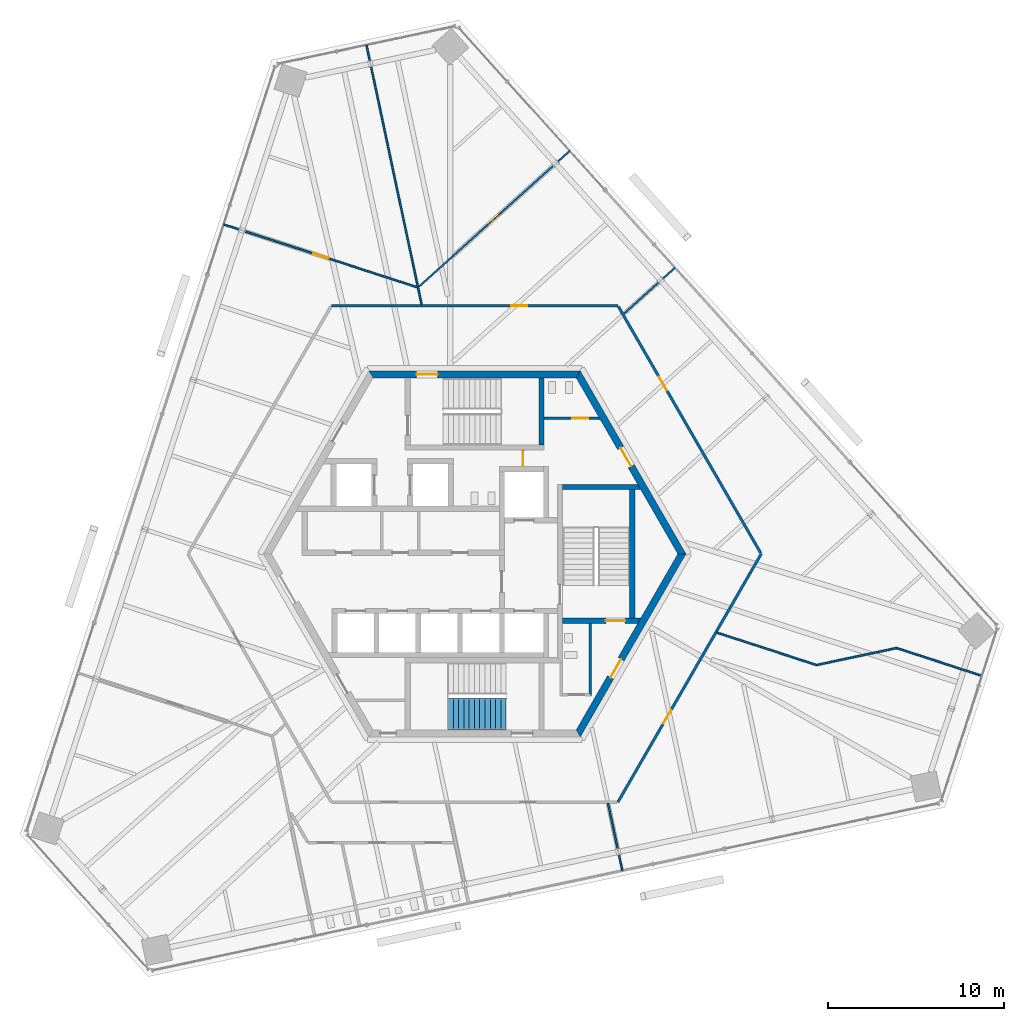
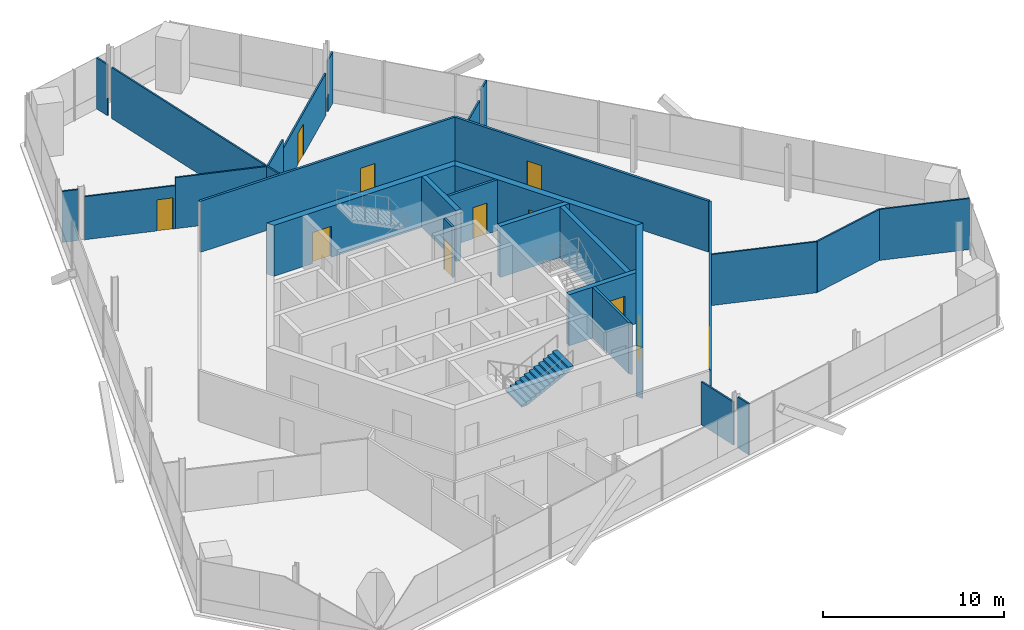
# One storey, part 12 of 15: 28 walls, 11 doors, 1 stair flight, 11 openings, 1 element without a shape of its own.
"""IFC4 building model written with IfcOpenShell, lengths in metres."""

from ifc_helpers import new_model, si_unit, direction, frame, frame_2d, origin, place, context, subcontext, project, spatial, polyline, rectangle, outline, extrude, source, transform, mapped, material, layer, layer_set, type_object, element, fill, aggregate, save


model = new_model("IFC4")

# Units and contexts
model_context = context("Model", 3, precision=1e-05, world=origin(), true_north=direction((0.0, 1.0)))
body_context = subcontext(model_context, "Body", "Model", "MODEL_VIEW")
ifc_project = project(units=[si_unit("LENGTHUNIT", "METRE"), si_unit("AREAUNIT", "SQUARE_METRE"), si_unit("VOLUMEUNIT", "CUBIC_METRE"), si_unit("PLANEANGLEUNIT", "RADIAN"), si_unit("MASSUNIT", "GRAM", prefix="KILO")], contexts=[model_context])

# Site, building, storey
site_placement = place(None, origin())
site = spatial("IfcSite", under=ifc_project, at=site_placement, CompositionType="ELEMENT")
building_placement = place(site_placement, origin())
building = spatial("IfcBuilding", under=site, at=building_placement, Name="Triune Harvest Tower", CompositionType="ELEMENT")
storey_placement = place(building_placement, frame((0.0, 0.0, 270.300048828125)))
storey = spatial("IfcBuildingStorey", under=building, at=storey_placement, Name="L71", CompositionType="ELEMENT", Elevation=270.300048828125)

# Wall, opening, door
ifc_material_1 = material(Name="Gypsum board on steel studs", Category="steel")
ifc_layer_1 = layer(ifc_material_1, 0.14990234375)
ifc_layer_set_1 = layer_set([ifc_layer_1], Name="Gypsum board on steel studs")
wall_type_1 = type_object("IfcWallType", Name="Fire Partition 150 mm", PredefinedType="PARTITIONING", material=ifc_layer_set_1)
wall_1_placement = place(storey_placement, frame((8.161376953125, 14.048583984375, 0.0), z_axis=(0.0, 0.0, 1.0), x_axis=(0.500027814178, -0.866009344666, 0.0)))
wall_1 = element("IfcWall", 1, at=wall_1_placement, inside=storey, type_object=wall_type_1, Name="Partition L71 013", PredefinedType="PARTITIONING", context=body_context, shape_type="SweptSolid", body=[
    extrude(rectangle(XDim=16.17138671875, YDim=0.14990234375, at=frame_2d((8.085693359375, 0.0))), origin(), (0.0, 0.0, 1.0), 3.43994140625),
])
opening_1_placement = place(wall_1_placement, frame((4.604248046875, 0.0, 0.0)))
opening_1 = element("IfcOpeningElement", 2, at=opening_1_placement, cuts=wall_1, Name="Opening L71-001", PredefinedType="OPENING", context=body_context, shape_type="SweptSolid", body=[
    extrude(rectangle(XDim=0.89990234375, YDim=2.10009765625, at=frame_2d((0.449951171875, 1.050048828125))), frame((0.0, 0.0849609375, 0.0), z_axis=(0.0, -1.0, 0.0), x_axis=(1.0, 0.0, 0.0)), (0.0, 0.0, 1.0), 0.169921875),
])
ifc_material_2 = material(Name="Timber and steel door set", Category="steel")
door_type_1 = type_object("IfcDoorType", Name="Single leaf door FD30 left hand 900 x 2100", OperationType="SINGLE_SWING_LEFT", PredefinedType="DOOR", material=ifc_material_2)
door_1_placement = place(opening_1_placement, origin())
door_1 = element("IfcDoor", 3, at=door_1_placement, inside=storey, type_object=door_type_1, Name="Door L71-001 Open Office 71.01", OperationType="SINGLE_SWING_LEFT", OverallHeight=2.10009765625, OverallWidth=0.89990234375, PredefinedType="DOOR", context=body_context, shape_type="SweptSolid", body=[
    extrude(rectangle(XDim=0.89990234375, YDim=2.10009765625, at=frame_2d((0.449951171875, 1.050048828125))), frame((0.0, 0.02490234375, 0.0), z_axis=(0.0, -1.0, 0.0), x_axis=(1.0, 0.0, 0.0)), (0.0, 0.0, 1.0), 0.050048828125),
])
fill(opening_1, door_1)

# Walls
ifc_material_3 = material(Name="Gypsum board on steel studs", Category="steel")
ifc_layer_2 = layer(ifc_material_3, 0.10009765625)
ifc_layer_set_2 = layer_set([ifc_layer_2], Name="Gypsum board on steel studs")
wall_type_2 = type_object("IfcWallType", Name="Partition 100 mm", PredefinedType="PARTITIONING", material=ifc_layer_set_2)
wall_2_placement = place(storey_placement, frame((-5.880126953125, 27.66357421875, 0.0), z_axis=(0.0, 0.0, 1.0), x_axis=(0.207913962391, -0.978147117893, 0.0)))
element("IfcWall", 4, at=wall_2_placement, inside=storey, type_object=wall_type_2, Name="Partition L71 008", PredefinedType="PARTITIONING", context=body_context, shape_type="SweptSolid", body=[
    extrude(rectangle(XDim=13.804443359375, YDim=0.10009765625, at=frame_2d((6.90234375, 0.0))), origin(), (0.0, 0.0, 1.0), 3.43994140625),
])
wall_3_placement = place(storey_placement, frame((13.768798828125, -4.47314453125, 0.0), z_axis=(0.0, 0.0, 1.0), x_axis=(0.951028932141, -0.309101876782, 0.0)))
element("IfcWall", 5, at=wall_3_placement, inside=storey, type_object=wall_type_2, Name="Partition L71 016", PredefinedType="PARTITIONING", context=body_context, shape_type="SweptSolid", body=[
    extrude(rectangle(XDim=5.93798828125, YDim=0.10009765625, at=frame_2d((2.968994140625, 0.0))), origin(), (0.0, 0.0, 1.0), 3.43994140625),
])
wall_4_placement = place(storey_placement, frame((23.95458984375, -5.343994140625, 0.0), z_axis=(0.0, 0.0, 1.0), x_axis=(0.951057267017, -0.309014683881, 0.0)))
element("IfcWall", 6, at=wall_4_placement, inside=storey, type_object=wall_type_2, Name="Partition L71 017", PredefinedType="PARTITIONING", context=body_context, shape_type="SweptSolid", body=[
    extrude(rectangle(XDim=5.103759765625, YDim=0.10009765625, at=frame_2d((2.5517578125, 0.0))), origin(), (0.0, 0.0, 1.0), 3.43994140625),
])
wall_5_placement = place(storey_placement, frame((-8.16064453125, 16.73291015625, 0.0), z_axis=(0.0, 0.0, 1.0), x_axis=(0.951045259503, -0.30905163707, 0.0)))
element("IfcWall", 7, at=wall_5_placement, inside=storey, type_object=wall_type_2, Name="Partition L71 019a", PredefinedType="PARTITIONING", context=body_context, shape_type="SweptSolid", body=[
    extrude(rectangle(XDim=5.130126953125, YDim=0.10009765625, at=frame_2d((2.56494140625, 0.0))), origin(), (0.0, 0.0, 1.0), 3.43994140625),
])
wall_6_placement = place(storey_placement, frame((19.42578125, -6.306640625, 0.0), z_axis=(0.0, 0.0, 1.0), x_axis=(0.97813910307, 0.207951665167, 0.0)))
element("IfcWall", 8, at=wall_6_placement, inside=storey, type_object=wall_type_2, Name="Partition L71 023", PredefinedType="PARTITIONING", context=body_context, shape_type="SweptSolid", body=[
    extrude(rectangle(XDim=4.619873046875, YDim=0.10009765625, at=frame_2d((2.31005859375, 0.0))), origin(), (0.0, 0.0, 1.0), 3.43994140625),
])
wall_7_placement = place(storey_placement, frame((-3.1630859375, 15.172607421875, 0.0), z_axis=(0.0, 0.0, 1.0), x_axis=(0.743149875306, 0.669124997914, 0.0)))
element("IfcWall", 9, at=wall_7_placement, inside=storey, type_object=wall_type_2, Name="Partition L71 027", PredefinedType="PARTITIONING", context=body_context, shape_type="SweptSolid", body=[
    extrude(rectangle(XDim=2.60888671875, YDim=0.10009765625, at=frame_2d((1.304443359375, 0.0))), origin(), (0.0, 0.0, 1.0), 3.43994140625),
])

# Wall, opening, door
ifc_material_4 = material(Name="Concrete 70 MPa", Category="concrete")
ifc_layer_3 = layer(ifc_material_4, 0.39990234375)
ifc_layer_set_3 = layer_set([ifc_layer_3], Name="Concrete 70 MPa")
wall_type_3 = type_object("IfcWallType", Name="Core wall 400", PredefinedType="SHEAR", material=ifc_layer_set_3)
shared_shape_1 = source(origin(), body_context, "Body", "SweptSolid", [
    extrude(outline(polyline([(-0.115478515625, -0.199951171875), (11.884521484375, -0.199951171875), (11.653564453125, 0.199951171875), (0.115478515625, 0.199951171875), (-0.115478515625, -0.199951171875)])), origin(), (0.0, 0.0, 1.0), 3.43994140625),
])
wall_8_placement = place(storey_placement, frame((11.76904296875, 0.0, 0.0), z_axis=(0.0, 0.0, 1.0), x_axis=(-0.499996592174, 0.866027371285, 0.0)))
wall_8 = element("IfcWall", 10, at=wall_8_placement, inside=storey, type_object=wall_type_3, Name="Hexagon 0 wall", PredefinedType="SHEAR", context=body_context, shape_type="MappedRepresentation", body=[
    mapped(shared_shape_1, transform((0.0, 0.0, 0.0), scale=1.0)),
])
opening_2_placement = place(wall_8_placement, frame((5.75048828125, 0.0, 0.0)))
opening_2 = element("IfcOpeningElement", 11, at=opening_2_placement, cuts=wall_8, Name="Opening CD-WCP", PredefinedType="OPENING", context=body_context, shape_type="SweptSolid", body=[
    extrude(rectangle(XDim=1.199951171875, YDim=2.10009765625, at=frame_2d((0.60009765625, 1.050048828125))), frame((0.0, 0.2099609375, 0.0), z_axis=(0.0, -1.0, 0.0), x_axis=(1.0, 0.0, 0.0)), (0.0, 0.0, 1.0), 0.419921875),
])
ifc_material_5 = material(Name="Steel S235", Category="steel")
door_type_2 = type_object("IfcDoorType", Name="Lobby door 1200 FD120", OperationType="SINGLE_SWING_LEFT", PredefinedType="DOOR", material=ifc_material_5)
door_2_placement = place(opening_2_placement, frame((1.199951171875, 0.0, 0.0), z_axis=(0.0, 0.0, 1.0), x_axis=(-1.0, 0.0, 0.0)))
door_2 = element("IfcDoor", 12, at=door_2_placement, inside=storey, type_object=door_type_2, Name="Door CD-WCP", OperationType="SINGLE_SWING_RIGHT", OverallHeight=2.10009765625, OverallWidth=1.199951171875, PredefinedType="DOOR", context=body_context, shape_type="SweptSolid", body=[
    extrude(rectangle(XDim=1.199951171875, YDim=2.10009765625, at=frame_2d((0.60009765625, 1.050048828125))), frame((0.0, 0.02490234375, 0.0), z_axis=(0.0, -1.0, 0.0), x_axis=(1.0, 0.0, 0.0)), (0.0, 0.0, 1.0), 0.050048828125),
])
fill(opening_2, door_2)

wall_9_placement = place(storey_placement, frame((5.884521484375, 10.1923828125, 0.0), z_axis=(0.0, 0.0, 1.0), x_axis=(-1.0, 0.0, 0.0)))
wall_9 = element("IfcWall", 13, at=wall_9_placement, inside=storey, type_object=wall_type_3, Name="Hexagon 1 wall", PredefinedType="SHEAR", context=body_context, shape_type="MappedRepresentation", body=[
    mapped(shared_shape_1, transform((0.0, 0.0, 0.0), scale=1.0)),
])
opening_3_placement = place(wall_9_placement, frame((7.984619140625, 0.0, 0.0)))
opening_3 = element("IfcOpeningElement", 14, at=opening_3_placement, cuts=wall_9, Name="Opening CD-S1P", PredefinedType="OPENING", context=body_context, shape_type="SweptSolid", body=[
    extrude(rectangle(XDim=1.199951171875, YDim=2.10009765625, at=frame_2d((0.60009765625, 1.050048828125))), frame((0.0, 0.2099609375, 0.0), z_axis=(0.0, -1.0, 0.0), x_axis=(1.0, 0.0, 0.0)), (0.0, 0.0, 1.0), 0.419921875),
])
ifc_material_6 = material(Name="Steel S235", Category="steel")
door_type_3 = type_object("IfcDoorType", Name="Stair door 1200 FD120", OperationType="SINGLE_SWING_LEFT", PredefinedType="DOOR", material=ifc_material_6)
door_3_placement = place(opening_3_placement, frame((1.199951171875, 0.0, 0.0), z_axis=(0.0, 0.0, 1.0), x_axis=(-1.0, 0.0, 0.0)))
door_3 = element("IfcDoor", 15, at=door_3_placement, inside=storey, type_object=door_type_3, Name="Door CD-S1P", OperationType="SINGLE_SWING_RIGHT", OverallHeight=2.10009765625, OverallWidth=1.199951171875, PredefinedType="DOOR", context=body_context, shape_type="SweptSolid", body=[
    extrude(rectangle(XDim=1.199951171875, YDim=2.10009765625, at=frame_2d((0.60009765625, 1.050048828125))), frame((0.0, 0.02490234375, 0.0), z_axis=(0.0, -1.0, 0.0), x_axis=(1.0, 0.0, 0.0)), (0.0, 0.0, 1.0), 0.050048828125),
])
fill(opening_3, door_3)

wall_10_placement = place(storey_placement, frame((5.884521484375, -10.1923828125, 0.0), z_axis=(0.0, 0.0, 1.0), x_axis=(0.499996592174, 0.866027371285, 0.0)))
wall_10 = element("IfcWall", 16, at=wall_10_placement, inside=storey, type_object=wall_type_3, Name="Hexagon 5 wall", PredefinedType="SHEAR", context=body_context, shape_type="MappedRepresentation", body=[
    mapped(shared_shape_1, transform((0.0, 0.0, 0.0), scale=1.0)),
])
opening_4_placement = place(wall_10_placement, frame((3.66455078125, 0.0, 0.0)))
opening_4 = element("IfcOpeningElement", 17, at=opening_4_placement, cuts=wall_10, Name="Opening CD-DP", PredefinedType="OPENING", context=body_context, shape_type="SweptSolid", body=[
    extrude(rectangle(XDim=1.199951171875, YDim=2.10009765625, at=frame_2d((0.60009765625, 1.050048828125))), frame((0.0, 0.2099609375, 0.0), z_axis=(0.0, -1.0, 0.0), x_axis=(1.0, 0.0, 0.0)), (0.0, 0.0, 1.0), 0.419921875),
])
door_4_placement = place(opening_4_placement, frame((1.199951171875, 0.0, 0.0), z_axis=(0.0, 0.0, 1.0), x_axis=(-1.0, 0.0, 0.0)))
door_4 = element("IfcDoor", 18, at=door_4_placement, inside=storey, type_object=door_type_3, Name="Door CD-DP", OperationType="SINGLE_SWING_RIGHT", OverallHeight=2.10009765625, OverallWidth=1.199951171875, PredefinedType="DOOR", context=body_context, shape_type="SweptSolid", body=[
    extrude(rectangle(XDim=1.199951171875, YDim=2.10009765625, at=frame_2d((0.60009765625, 1.050048828125))), frame((0.0, 0.02490234375, 0.0), z_axis=(0.0, -1.0, 0.0), x_axis=(1.0, 0.0, 0.0)), (0.0, 0.0, 1.0), 0.050048828125),
])
fill(opening_4, door_4)

# Wall
ifc_material_7 = material(Name="Concrete 70 MPa", Category="concrete")
ifc_layer_4 = layer(ifc_material_7, 0.300048828125)
ifc_layer_set_4 = layer_set([ifc_layer_4], Name="Concrete 70 MPa")
wall_type_4 = type_object("IfcWallType", Name="Core wall 300", PredefinedType="SHEAR", material=ifc_layer_set_4)
shared_shape_2 = source(origin(), body_context, "Body", "SweptSolid", [
    extrude(outline(polyline([(0.0, -0.14990234375), (0.0, 0.14990234375), (4.260009765625, 0.14990234375), (4.43310546875, -0.14990234375), (0.0, -0.14990234375)])), origin(), (0.0, 0.0, 1.0), 3.43994140625),
])
wall_11_placement = place(storey_placement, frame((5.0, 3.800048828125, 0.0), z_axis=(0.0, 0.0, 1.0), x_axis=(1.0, 0.0, 0.0)))
element("IfcWall", 19, at=wall_11_placement, inside=storey, type_object=wall_type_4, Name="Stair e north wall", PredefinedType="SHEAR", context=body_context, shape_type="MappedRepresentation", body=[
    mapped(shared_shape_2, transform((0.0, 0.0, 0.0), scale=1.0)),
])

# Wall, opening, door
shared_shape_3 = source(origin(), body_context, "Body", "SweptSolid", [
    extrude(outline(polyline([(0.0, -0.14990234375), (0.0, 0.14990234375), (4.43310546875, 0.14990234375), (4.260009765625, -0.14990234375), (0.0, -0.14990234375)])), origin(), (0.0, 0.0, 1.0), 3.43994140625),
])
wall_12_placement = place(storey_placement, frame((5.0, -3.800048828125, 0.0), z_axis=(0.0, 0.0, 1.0), x_axis=(1.0, 0.0, 0.0)))
wall_12 = element("IfcWall", 20, at=wall_12_placement, inside=storey, type_object=wall_type_4, Name="Stair e south wall", PredefinedType="SHEAR", context=body_context, shape_type="MappedRepresentation", body=[
    mapped(shared_shape_3, transform((0.0, 0.0, 0.0), scale=1.0)),
])
opening_5_placement = place(wall_12_placement, frame((2.449951171875, 0.0, 0.0)))
opening_5 = element("IfcOpeningElement", 21, at=opening_5_placement, cuts=wall_12, Name="Opening CD-S3D", PredefinedType="OPENING", context=body_context, shape_type="SweptSolid", body=[
    extrude(rectangle(XDim=1.10009765625, YDim=2.10009765625, at=frame_2d((0.550048828125, 1.050048828125))), frame((0.0, 0.16015625, 0.0), z_axis=(0.0, -1.0, 0.0), x_axis=(1.0, 0.0, 0.0)), (0.0, 0.0, 1.0), 0.320068359375),
])
ifc_material_8 = material(Name="Steel S235", Category="steel")
door_type_4 = type_object("IfcDoorType", Name="Stair door 1100 FD120", OperationType="SINGLE_SWING_LEFT", PredefinedType="DOOR", material=ifc_material_8)
door_5_placement = place(opening_5_placement, frame((1.10009765625, 0.0, 0.0), z_axis=(0.0, 0.0, 1.0), x_axis=(-1.0, 0.0, 0.0)))
door_5 = element("IfcDoor", 22, at=door_5_placement, inside=storey, type_object=door_type_4, Name="Door CD-S3D", OperationType="SINGLE_SWING_RIGHT", OverallHeight=2.10009765625, OverallWidth=1.10009765625, PredefinedType="DOOR", context=body_context, shape_type="SweptSolid", body=[
    extrude(rectangle(XDim=1.10009765625, YDim=2.10009765625, at=frame_2d((0.550048828125, 1.050048828125))), frame((0.0, 0.02490234375, 0.0), z_axis=(0.0, -1.0, 0.0), x_axis=(1.0, 0.0, 0.0)), (0.0, 0.0, 1.0), 0.050048828125),
])
fill(opening_5, door_5)

# Walls
shared_shape_4 = source(origin(), body_context, "Body", "SweptSolid", [
    extrude(rectangle(XDim=7.2998046875, YDim=0.300048828125, at=frame_2d((3.64990234375, 0.0))), origin(), (0.0, 0.0, 1.0), 3.43994140625),
])
wall_13_placement = place(storey_placement, frame((8.949951171875, -3.64990234375, 0.0), z_axis=(0.0, 0.0, 1.0), x_axis=(0.0, 1.0, 0.0)))
element("IfcWall", 23, at=wall_13_placement, inside=storey, type_object=wall_type_4, Name="Stair e east wall", PredefinedType="SHEAR", context=body_context, shape_type="MappedRepresentation", body=[
    mapped(shared_shape_4, transform((0.0, 0.0, 0.0), scale=1.0)),
])
shared_shape_5 = source(origin(), body_context, "Body", "SweptSolid", [
    extrude(outline(polyline([(0.0, -0.14990234375), (0.0, 0.14990234375), (3.80419921875, 0.14990234375), (3.80419921875, -0.14990234375), (0.0, -0.14990234375)])), origin(), (0.0, 0.0, 1.0), 3.43994140625),
])
wall_14_placement = place(storey_placement, frame((3.800048828125, 6.18994140625, 0.0), z_axis=(0.0, 0.0, 1.0), x_axis=(0.0, 1.0, 0.0)))
element("IfcWall", 24, at=wall_14_placement, inside=storey, type_object=wall_type_4, Name="Stair n east wall", PredefinedType="SHEAR", context=body_context, shape_type="MappedRepresentation", body=[
    mapped(shared_shape_5, transform((0.0, 0.0, 0.0), scale=1.0)),
])
ifc_material_9 = material(Name="Concrete masonry unit", Category="masonry")
ifc_layer_5 = layer(ifc_material_9, 0.14990234375)
ifc_layer_set_5 = layer_set([ifc_layer_5], Name="Concrete masonry unit")
wall_type_5 = type_object("IfcWallType", Name="Block partition 150 unrated", PredefinedType="PARTITIONING", material=ifc_layer_set_5)
shared_shape_6 = source(origin(), body_context, "Body", "SweptSolid", [
    extrude(outline(polyline([(-0.074951171875, -0.074951171875), (4.050048828125, -0.074951171875), (4.050048828125, 0.074951171875), (0.074951171875, 0.074951171875), (-0.074951171875, -0.074951171875)])), origin(), (0.0, 0.0, 1.0), 3.43994140625),
])
wall_15_placement = place(storey_placement, frame((6.574951171875, -8.0, 0.0), z_axis=(0.0, 0.0, 1.0), x_axis=(0.0, 1.0, 0.0)))
element("IfcWall", 25, at=wall_15_placement, inside=storey, type_object=wall_type_5, Name="Wc acc east wall", PredefinedType="PARTITIONING", context=body_context, shape_type="MappedRepresentation", body=[
    mapped(shared_shape_6, transform((0.0, 0.0, 0.0), scale=1.0)),
])

# Wall, opening, door
shared_shape_7 = source(origin(), body_context, "Body", "SweptSolid", [
    extrude(outline(polyline([(0.0, -0.074951171875), (0.0, 0.074951171875), (3.1015625, 0.074951171875), (3.18798828125, -0.074951171875), (0.0, -0.074951171875)])), origin(), (0.0, 0.0, 1.0), 3.43994140625),
])
wall_16_placement = place(storey_placement, frame((3.949951171875, 7.699951171875, 0.0), z_axis=(0.0, 0.0, 1.0), x_axis=(1.0, 0.0, 0.0)))
wall_16 = element("IfcWall", 26, at=wall_16_placement, inside=storey, type_object=wall_type_5, Name="Wc women south wall", PredefinedType="PARTITIONING", context=body_context, shape_type="MappedRepresentation", body=[
    mapped(shared_shape_7, transform((0.0, 0.0, 0.0), scale=1.0)),
])
opening_6_placement = place(wall_16_placement, frame((1.60009765625, 0.0, 0.0)))
opening_6 = element("IfcOpeningElement", 27, at=opening_6_placement, cuts=wall_16, Name="Opening CD-WW", PredefinedType="OPENING", context=body_context, shape_type="SweptSolid", body=[
    extrude(rectangle(XDim=0.89990234375, YDim=2.10009765625, at=frame_2d((0.449951171875, 1.050048828125))), frame((0.0, 0.0849609375, 0.0), z_axis=(0.0, -1.0, 0.0), x_axis=(1.0, 0.0, 0.0)), (0.0, 0.0, 1.0), 0.169921875),
])
ifc_material_10 = material(Name="Timber C24", Category="wood")
door_type_5 = type_object("IfcDoorType", Name="WC door 900", OperationType="SINGLE_SWING_LEFT", PredefinedType="DOOR", material=ifc_material_10)
door_6_placement = place(opening_6_placement, origin())
door_6 = element("IfcDoor", 28, at=door_6_placement, inside=storey, type_object=door_type_5, Name="Door CD-WW", OperationType="SINGLE_SWING_LEFT", OverallHeight=2.10009765625, OverallWidth=0.89990234375, PredefinedType="DOOR", context=body_context, shape_type="SweptSolid", body=[
    extrude(rectangle(XDim=0.89990234375, YDim=2.10009765625, at=frame_2d((0.449951171875, 1.050048828125))), frame((0.0, 0.02490234375, 0.0), z_axis=(0.0, -1.0, 0.0), x_axis=(1.0, 0.0, 0.0)), (0.0, 0.0, 1.0), 0.050048828125),
])
fill(opening_6, door_6)

shared_shape_8 = source(origin(), body_context, "Body", "SweptSolid", [
    extrude(rectangle(XDim=0.929931640625, YDim=0.14990234375, at=frame_2d((0.46484375, 0.0))), origin(), (0.0, 0.0, 1.0), 3.43994140625),
])
wall_17_placement = place(storey_placement, frame((2.75, 4.9599609375, 0.0), z_axis=(0.0, 0.0, 1.0), x_axis=(0.0, 1.0, 0.0)))
wall_17 = element("IfcWall", 29, at=wall_17_placement, inside=storey, type_object=wall_type_5, Name="Wc men east b wall", PredefinedType="PARTITIONING", context=body_context, shape_type="MappedRepresentation", body=[
    mapped(shared_shape_8, transform((0.0, 0.0, 0.0), scale=1.0)),
])
opening_7_placement = place(wall_17_placement, frame((0.014892578125, 0.0, 0.0)))
opening_7 = element("IfcOpeningElement", 30, at=opening_7_placement, cuts=wall_17, Name="Opening CD-WM", PredefinedType="OPENING", context=body_context, shape_type="SweptSolid", body=[
    extrude(rectangle(XDim=0.89990234375, YDim=2.10009765625, at=frame_2d((0.449951171875, 1.050048828125))), frame((0.0, 0.0849609375, 0.0), z_axis=(0.0, -1.0, 0.0), x_axis=(1.0, 0.0, 0.0)), (0.0, 0.0, 1.0), 0.169921875),
])
door_7_placement = place(opening_7_placement, origin())
door_7 = element("IfcDoor", 31, at=door_7_placement, inside=storey, type_object=door_type_5, Name="Door CD-WM", OperationType="SINGLE_SWING_LEFT", OverallHeight=2.10009765625, OverallWidth=0.89990234375, PredefinedType="DOOR", context=body_context, shape_type="SweptSolid", body=[
    extrude(rectangle(XDim=0.89990234375, YDim=2.10009765625, at=frame_2d((0.449951171875, 1.050048828125))), frame((0.0, 0.02490234375, 0.0), z_axis=(0.0, -1.0, 0.0), x_axis=(1.0, 0.0, 0.0)), (0.0, 0.0, 1.0), 0.050048828125),
])
fill(opening_7, door_7)

# Walls
shared_shape_9 = source(origin(), body_context, "Body", "SweptSolid", [
    extrude(rectangle(XDim=0.91552734375, YDim=0.10009765625, at=frame_2d((0.457763671875, 0.0))), origin(), (0.0, 0.0, 1.0), 3.43994140625),
])
for number, where, z_axis, x_axis, name in (
    (32, (-6.14111328125, 28.89208984375, 0.0), (0.0, 0.0, 1.0), (0.207743933161, -0.978183243689, 0.0), "Partition L71 007"),
    (33, (8.195068359375, -17.083984375, 0.0), (0.0, 0.0, 1.0), (0.207999082957, -0.978129020881, 0.0), "Partition L71 010"),
    (34, (-14.24560546875, 18.7099609375, 0.0), (0.0, 0.0, 1.0), (0.951030148904, -0.309098133084, 0.0), "Partition L71 018"),
):
    element("IfcWall", number, at=place(storey_placement, frame(where, z_axis=z_axis, x_axis=x_axis)), inside=storey, type_object=wall_type_2, Name=name, PredefinedType="PARTITIONING", context=body_context, shape_type="MappedRepresentation", body=[
        mapped(shared_shape_9, transform((0.0, 0.0, 0.0), scale=1.0)),
    ])
shared_shape_10 = source(origin(), body_context, "Body", "SweptSolid", [
    extrude(rectangle(XDim=0.915283203125, YDim=0.10009765625, at=frame_2d((0.45751953125, 0.0))), origin(), (0.0, 0.0, 1.0), 3.43994140625),
])
for number, where, z_axis, x_axis, name in (
    (35, (10.69775390625, 15.63916015625, 0.0), (0.0, 0.0, 1.0), (0.743081911728, 0.669200472551, 0.0), "Partition L71 026"),
    (36, (4.723876953125, 22.27392578125, 0.0), (0.0, 0.0, 1.0), (0.743081911728, 0.669200472551, 0.0), "Partition L71 028"),
):
    element("IfcWall", number, at=place(storey_placement, frame(where, z_axis=z_axis, x_axis=x_axis)), inside=storey, type_object=wall_type_2, Name=name, PredefinedType="PARTITIONING", context=body_context, shape_type="MappedRepresentation", body=[
        mapped(shared_shape_10, transform((0.0, 0.0, 0.0), scale=1.0)),
    ])
shared_shape_11 = source(origin(), body_context, "Body", "SweptSolid", [
    extrude(rectangle(XDim=2.64794921875, YDim=0.10009765625, at=frame_2d((1.323974609375, 0.0))), origin(), (0.0, 0.0, 1.0), 2.904052734375),
])
for number, where, z_axis, x_axis, name in (
    (37, (7.57373046875, -14.160888671875, 0.0), (0.0, 0.0, 1.0), (0.207910582603, -0.978147836291, 0.0), "Partition L71 009"),
    (38, (8.476806640625, 13.639404296875, 0.0), (0.0, 0.0, 1.0), (0.743156590074, 0.669117540219, 0.0), "Partition L71 025"),
):
    element("IfcWall", number, at=place(storey_placement, frame(where, z_axis=z_axis, x_axis=x_axis)), inside=storey, type_object=wall_type_2, Name=name, PredefinedType="PARTITIONING", context=body_context, shape_type="MappedRepresentation", body=[
        mapped(shared_shape_11, transform((0.0, 0.0, 0.0), scale=1.0)),
    ])

# Wall, opening, door
shared_shape_12 = source(origin(), body_context, "Body", "SweptSolid", [
    extrude(rectangle(XDim=16.2724609375, YDim=0.14990234375, at=frame_2d((8.13623046875, 0.0))), origin(), (0.0, 0.0, 1.0), 3.43994140625),
])
wall_18_placement = place(storey_placement, frame((-8.13623046875, 14.09228515625, 0.0), z_axis=(0.0, 0.0, 1.0), x_axis=(1.0, 0.0, 0.0)))
wall_18 = element("IfcWall", 39, at=wall_18_placement, inside=storey, type_object=wall_type_1, Name="Partition L71 022", PredefinedType="PARTITIONING", context=body_context, shape_type="MappedRepresentation", body=[
    mapped(shared_shape_12, transform((0.0, 0.0, 0.0), scale=1.0)),
])
opening_8_placement = place(wall_18_placement, frame((10.222412109375, 0.0, 0.0)))
opening_8 = element("IfcOpeningElement", 40, at=opening_8_placement, cuts=wall_18, Name="Opening L71-002", PredefinedType="OPENING", context=body_context, shape_type="SweptSolid", body=[
    extrude(rectangle(XDim=0.89990234375, YDim=2.10009765625, at=frame_2d((0.449951171875, 1.050048828125))), frame((0.0, 0.0849609375, 0.0), z_axis=(0.0, -1.0, 0.0), x_axis=(1.0, 0.0, 0.0)), (0.0, 0.0, 1.0), 0.169921875),
])
ifc_material_11 = material(Name="Timber and steel door set", Category="steel")
door_type_6 = type_object("IfcDoorType", Name="Single leaf door FD30 right hand 900 x 2100", OperationType="SINGLE_SWING_RIGHT", PredefinedType="DOOR", material=ifc_material_11)
door_8_placement = place(opening_8_placement, origin())
door_8 = element("IfcDoor", 41, at=door_8_placement, inside=storey, type_object=door_type_6, Name="Door L71-002 Open Office 71.02", OperationType="SINGLE_SWING_RIGHT", OverallHeight=2.10009765625, OverallWidth=0.89990234375, PredefinedType="DOOR", context=body_context, shape_type="SweptSolid", body=[
    extrude(rectangle(XDim=0.89990234375, YDim=2.10009765625, at=frame_2d((0.449951171875, 1.050048828125))), frame((0.0, 0.02490234375, 0.0), z_axis=(0.0, -1.0, 0.0), x_axis=(1.0, 0.0, 0.0)), (0.0, 0.0, 1.0), 0.050048828125),
])
fill(opening_8, door_8)

wall_19_placement = place(storey_placement, frame((8.13623046875, -14.09228515625, 0.0), z_axis=(0.0, 0.0, 1.0), x_axis=(0.500002112793, 0.866024183959, 0.0)))
wall_19 = element("IfcWall", 42, at=wall_19_placement, inside=storey, type_object=wall_type_1, Name="Partition L71 029", PredefinedType="PARTITIONING", context=body_context, shape_type="MappedRepresentation", body=[
    mapped(shared_shape_12, transform((0.0, 0.0, 0.0), scale=1.0)),
])
opening_9_placement = place(wall_19_placement, frame((5.14990234375, 0.0, 0.0)))
opening_9 = element("IfcOpeningElement", 43, at=opening_9_placement, cuts=wall_19, Name="Opening L71-012", PredefinedType="OPENING", context=body_context, shape_type="SweptSolid", body=[
    extrude(rectangle(XDim=0.89990234375, YDim=2.10009765625, at=frame_2d((0.449951171875, 1.050048828125))), frame((0.0, 0.0849609375, 0.0), z_axis=(0.0, -1.0, 0.0), x_axis=(1.0, 0.0, 0.0)), (0.0, 0.0, 1.0), 0.169921875),
])
door_9_placement = place(opening_9_placement, origin())
door_9 = element("IfcDoor", 44, at=door_9_placement, inside=storey, type_object=door_type_6, Name="Door L71-012 Open Office 71.12", OperationType="SINGLE_SWING_RIGHT", OverallHeight=2.10009765625, OverallWidth=0.89990234375, PredefinedType="DOOR", context=body_context, shape_type="SweptSolid", body=[
    extrude(rectangle(XDim=0.89990234375, YDim=2.10009765625, at=frame_2d((0.449951171875, 1.050048828125))), frame((0.0, 0.02490234375, 0.0), z_axis=(0.0, -1.0, 0.0), x_axis=(1.0, 0.0, 0.0)), (0.0, 0.0, 1.0), 0.050048828125),
])
fill(opening_9, door_9)

shared_shape_13 = source(origin(), body_context, "Body", "SweptSolid", [
    extrude(rectangle(XDim=7.663330078125, YDim=0.10009765625, at=frame_2d((3.83154296875, 0.0))), origin(), (0.0, 0.0, 1.0), 2.82763671875),
])
wall_20_placement = place(storey_placement, frame((-1.224365234375, 16.918212890625, 0.0), z_axis=(0.0, 0.0, 1.0), x_axis=(0.743156312941, 0.669117848018, 0.0)))
wall_20 = element("IfcWall", 45, at=wall_20_placement, inside=storey, type_object=wall_type_2, Name="Partition L71 027a", PredefinedType="PARTITIONING", context=body_context, shape_type="MappedRepresentation", body=[
    mapped(shared_shape_13, transform((0.0, 0.0, 0.0), scale=1.0)),
])
opening_10_placement = place(wall_20_placement, frame((2.669189453125, 0.0, 0.0)))
opening_10 = element("IfcOpeningElement", 46, at=opening_10_placement, cuts=wall_20, Name="Opening L71-003", PredefinedType="OPENING", context=body_context, shape_type="SweptSolid", body=[
    extrude(rectangle(XDim=0.89990234375, YDim=2.10009765625, at=frame_2d((0.449951171875, 1.050048828125))), frame((0.0, 0.06005859375, 0.0), z_axis=(0.0, -1.0, 0.0), x_axis=(1.0, 0.0, 0.0)), (0.0, 0.0, 1.0), 0.1201171875),
])
ifc_material_12 = material(Name="Timber and steel door set", Category="steel")
door_type_7 = type_object("IfcDoorType", Name="Single leaf door right hand 900 x 2100", OperationType="SINGLE_SWING_RIGHT", PredefinedType="DOOR", material=ifc_material_12)
door_10_placement = place(opening_10_placement, origin())
door_10 = element("IfcDoor", 47, at=door_10_placement, inside=storey, type_object=door_type_7, Name="Door L71-003 Reception 71.03", OperationType="SINGLE_SWING_RIGHT", OverallHeight=2.10009765625, OverallWidth=0.89990234375, PredefinedType="DOOR", context=body_context, shape_type="SweptSolid", body=[
    extrude(rectangle(XDim=0.89990234375, YDim=2.10009765625, at=frame_2d((0.449951171875, 1.050048828125))), frame((0.0, 0.02490234375, 0.0), z_axis=(0.0, -1.0, 0.0), x_axis=(1.0, 0.0, 0.0)), (0.0, 0.0, 1.0), 0.050048828125),
])
fill(opening_10, door_10)

shared_shape_14 = source(origin(), body_context, "Body", "SweptSolid", [
    extrude(rectangle(XDim=5.14208984375, YDim=0.10009765625, at=frame_2d((2.571044921875, 0.0))), origin(), (0.0, 0.0, 1.0), 2.904052734375),
])
wall_21_placement = place(storey_placement, frame((-13.051025390625, 18.32177734375, 0.0), z_axis=(0.0, 0.0, 1.0), x_axis=(0.951063024671, -0.308996962935, 0.0)))
wall_21 = element("IfcWall", 48, at=wall_21_placement, inside=storey, type_object=wall_type_2, Name="Partition L71 019", PredefinedType="PARTITIONING", context=body_context, shape_type="MappedRepresentation", body=[
    mapped(shared_shape_14, transform((0.0, 0.0, 0.0), scale=1.0)),
])
opening_11_placement = place(wall_21_placement, frame((4.092041015625, 0.0, 0.0)))
opening_11 = element("IfcOpeningElement", 49, at=opening_11_placement, cuts=wall_21, Name="Opening L71-004", PredefinedType="OPENING", context=body_context, shape_type="SweptSolid", body=[
    extrude(rectangle(XDim=0.89990234375, YDim=2.10009765625, at=frame_2d((0.449951171875, 1.050048828125))), frame((0.0, 0.06005859375, 0.0), z_axis=(0.0, -1.0, 0.0), x_axis=(1.0, 0.0, 0.0)), (0.0, 0.0, 1.0), 0.1201171875),
])
ifc_material_13 = material(Name="Timber and steel door set", Category="steel")
door_type_8 = type_object("IfcDoorType", Name="Single leaf door left hand 900 x 2100", OperationType="SINGLE_SWING_LEFT", PredefinedType="DOOR", material=ifc_material_13)
door_11_placement = place(opening_11_placement, origin())
door_11 = element("IfcDoor", 50, at=door_11_placement, inside=storey, type_object=door_type_8, Name="Door L71-004 Pantry 71.04", OperationType="SINGLE_SWING_LEFT", OverallHeight=2.10009765625, OverallWidth=0.89990234375, PredefinedType="DOOR", context=body_context, shape_type="SweptSolid", body=[
    extrude(rectangle(XDim=0.89990234375, YDim=2.10009765625, at=frame_2d((0.449951171875, 1.050048828125))), frame((0.0, 0.02490234375, 0.0), z_axis=(0.0, -1.0, 0.0), x_axis=(1.0, 0.0, 0.0)), (0.0, 0.0, 1.0), 0.050048828125),
])
fill(opening_11, door_11)

# Stair, stair flight
ifc_material_14 = material(Name="Concrete 40 MPa", Category="concrete")
stair_type = type_object("IfcStairType", Name="Exit stair 1800 half turn", PredefinedType="HALF_TURN_STAIR", material=ifc_material_14)
stair_placement = place(storey_placement, origin())
stair = element("IfcStair", 51, at=stair_placement, inside=storey, type_object=stair_type, Name="Exit stair south", PredefinedType="HALF_TURN_STAIR")
ifc_material_15 = material(Name="Concrete 40 MPa", Category="concrete")
stair_flight_type = type_object("IfcStairFlightType", Name="Stair flight 1800", PredefinedType="STRAIGHT", material=ifc_material_15)
shared_shape_15 = source(origin(), body_context, "Body", "SweptSolid", [
    extrude(outline(polyline([(0.0, 0.0), (0.0, 0.14990234375), (0.300048828125, 0.14990234375), (0.300048828125, 0.300048828125), (0.60009765625, 0.300048828125), (0.60009765625, 0.449951171875), (0.89990234375, 0.449951171875), (0.89990234375, 0.60009765625), (1.199951171875, 0.60009765625), (1.199951171875, 0.75), (1.5, 0.75), (1.5, 0.89990234375), (1.800048828125, 0.89990234375), (1.800048828125, 1.050048828125), (2.10009765625, 1.050048828125), (2.10009765625, 1.199951171875), (2.39990234375, 1.199951171875), (2.39990234375, 1.35009765625), (2.699951171875, 1.35009765625), (2.699951171875, 1.5), (3.0, 1.5), (3.0, 1.64990234375), (3.300048828125, 1.64990234375), (3.300048828125, 1.800048828125), (3.300048828125, 1.482421875), (0.335205078125, 0.0), (0.0, 0.0)])), frame((0.0, 0.89990234375, 0.0), z_axis=(0.0, -1.0, 0.0), x_axis=(1.0, 0.0, 0.0)), (0.0, 0.0, 1.0), 1.800048828125),
])
stair_flight_placement = place(storey_placement, frame((-1.510009765625, -9.090087890625, 1.800048828125), z_axis=(0.0, 0.0, 1.0), x_axis=(1.0, 0.0, 0.0)))
stair_flight = element("IfcStairFlight", 52, at=stair_flight_placement, type_object=stair_flight_type, Name="ST-2 flight 2", NumberOfRisers=12, NumberOfTreads=11, PredefinedType="STRAIGHT", RiserHeight=0.15, TreadLength=0.3, context=body_context, shape_type="MappedRepresentation", body=[
    mapped(shared_shape_15, transform((0.0, 0.0, 0.0), scale=1.0)),
])
aggregate(stair, [stair_flight])

save(model, "model.ifc")
